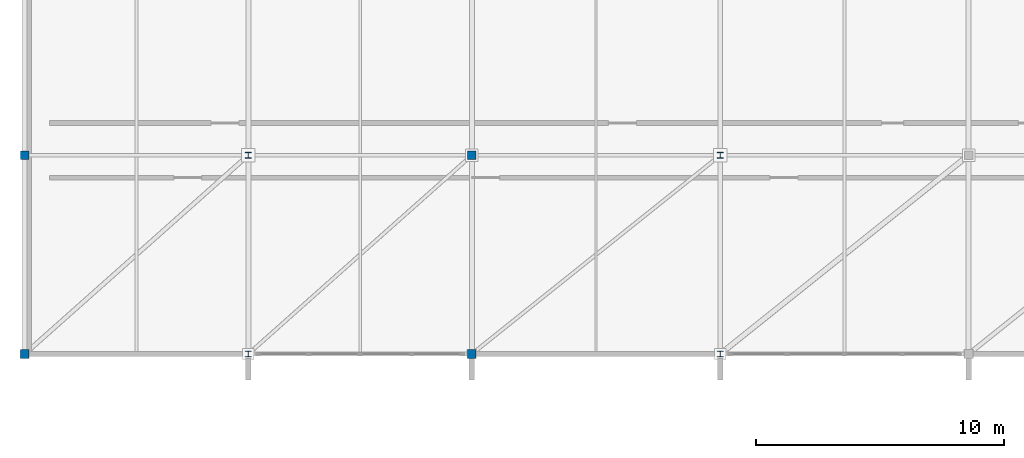
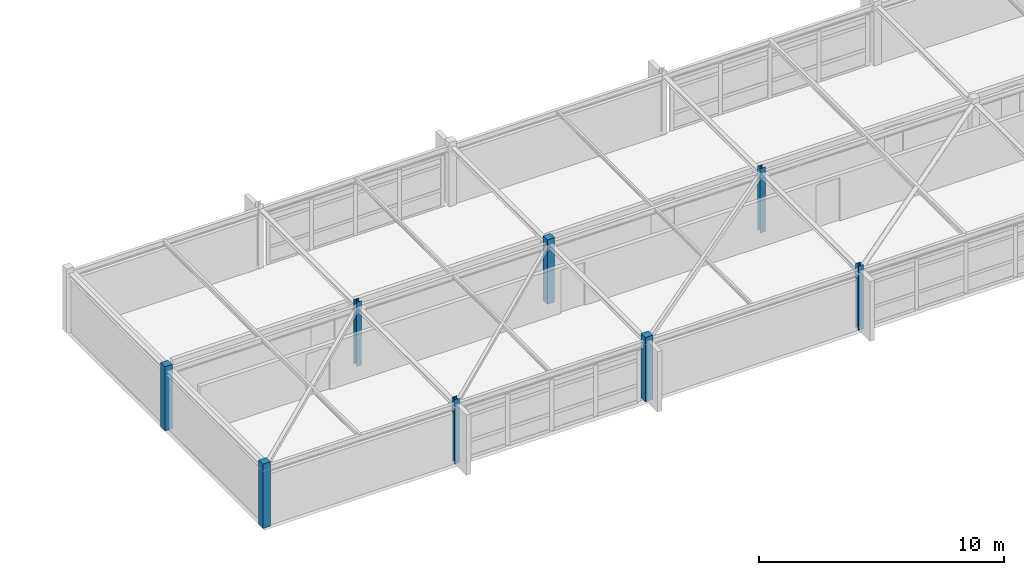
# One storey, part 1 of 83: 8 columns.
"""IFC4 building model written with IfcOpenShell, lengths in metres."""

from ifc_helpers import new_model, si_unit, direction, frame, origin, origin_2d, place, context, subcontext, project, spatial, rectangle, i_section, extrude, material, material_profile, profile_set, type_object, element, save


model = new_model("IFC4")

# Units and contexts
model_context = context("Model", 3, precision=1e-05, world=origin(), true_north=direction((0.0, 1.0)))
body_context = subcontext(model_context, "Body", "Model", "MODEL_VIEW")
ifc_project = project(units=[si_unit("LENGTHUNIT", "METRE"), si_unit("AREAUNIT", "SQUARE_METRE"), si_unit("VOLUMEUNIT", "CUBIC_METRE"), si_unit("PLANEANGLEUNIT", "RADIAN"), si_unit("MASSUNIT", "GRAM", prefix="KILO")], contexts=[model_context])

# Site, building, storey
site_placement = place(None, origin())
site = spatial("IfcSite", under=ifc_project, at=site_placement, CompositionType="ELEMENT")
building_placement = place(site_placement, origin())
building = spatial("IfcBuilding", under=site, at=building_placement, Name="Zimvara Arc Housing Community", CompositionType="ELEMENT")
storey_placement = place(building_placement, frame((0.0, 0.0, 4.5)))
storey = spatial("IfcBuildingStorey", under=building, at=storey_placement, Name="L01", CompositionType="ELEMENT", Elevation=4.5)

# Columns
ifc_material_1 = material(Name="Concrete C40/50", Category="concrete")
ifc_material_profile_1 = material_profile(ifc_material_1, rectangle(XDim=0.35009765625, YDim=0.35009765625, at=origin_2d()), Name="RC 350x350")
ifc_profile_set_1 = profile_set([ifc_material_profile_1], Name="Concrete C40/50")
column_type_1 = type_object("IfcColumnType", Name="COL-RC-350x350", PredefinedType="COLUMN", material=ifc_profile_set_1)
for number, where, z_axis, x_axis, name in (
    (1, (0.0, 3.60009765625, 0.0), (0.0, 0.0, 1.0), (1.0, 0.0, 0.0), "col:shops:L01:x0:y0"),
    (2, (0.0, 11.60009765625, 0.0), (0.0, 0.0, 1.0), (1.0, 0.0, 0.0), "col:shops:L01:x0:y1"),
    (3, (18.0, 3.60009765625, 0.0), (0.0, 0.0, 1.0), (1.0, 0.0, 0.0), "col:shops:L01:x2:y0"),
    (4, (18.0, 11.60009765625, 0.0), (0.0, 0.0, 1.0), (1.0, 0.0, 0.0), "col:shops:L01:x2:y1"),
):
    element("IfcColumn", number, at=place(storey_placement, frame(where, z_axis=z_axis, x_axis=x_axis)), inside=storey, type_object=column_type_1, Name=name, PredefinedType="COLUMN", context=body_context, shape_type="SweptSolid", body=[
        extrude(rectangle(XDim=0.35009765625, YDim=0.35009765625, at=origin_2d()), origin(), (0.0, 0.0, 1.0), 3.199951171875),
    ])
ifc_material_2 = material(Name="Steel S355", Category="steel")
ifc_material_profile_2 = material_profile(ifc_material_2, i_section(OverallWidth=0.239990234375, OverallDepth=0.22998046875, WebThickness=0.007568359375, FlangeThickness=0.011962890625, FilletRadius=0.02099609375, at=origin_2d()), Name="HEA 240")
ifc_profile_set_2 = profile_set([ifc_material_profile_2], Name="Steel S355")
column_type_2 = type_object("IfcColumnType", Name="COL-ST-HEA240", PredefinedType="COLUMN", material=ifc_profile_set_2)
for number, where, z_axis, x_axis, name in (
    (5, (9.0, 3.60009765625, 0.0), (0.0, 0.0, 1.0), (1.0, 0.0, 0.0), "col:shops:L01:x1:y0"),
    (6, (9.0, 11.60009765625, 0.0), (0.0, 0.0, 1.0), (1.0, 0.0, 0.0), "col:shops:L01:x1:y1"),
    (7, (28.0, 3.60009765625, 0.0), (0.0, 0.0, 1.0), (1.0, 0.0, 0.0), "col:shops:L01:x3:y0"),
    (8, (28.0, 11.60009765625, 0.0), (0.0, 0.0, 1.0), (1.0, 0.0, 0.0), "col:shops:L01:x3:y1"),
):
    element("IfcColumn", number, at=place(storey_placement, frame(where, z_axis=z_axis, x_axis=x_axis)), inside=storey, type_object=column_type_2, Name=name, PredefinedType="COLUMN", context=body_context, shape_type="SweptSolid", body=[
        extrude(i_section(OverallWidth=0.239990234375, OverallDepth=0.22998046875, WebThickness=0.007568359375, FlangeThickness=0.011962890625, FilletRadius=0.02099609375, at=origin_2d()), origin(), (0.0, 0.0, 1.0), 3.199951171875),
    ])

save(model, "model.ifc")
